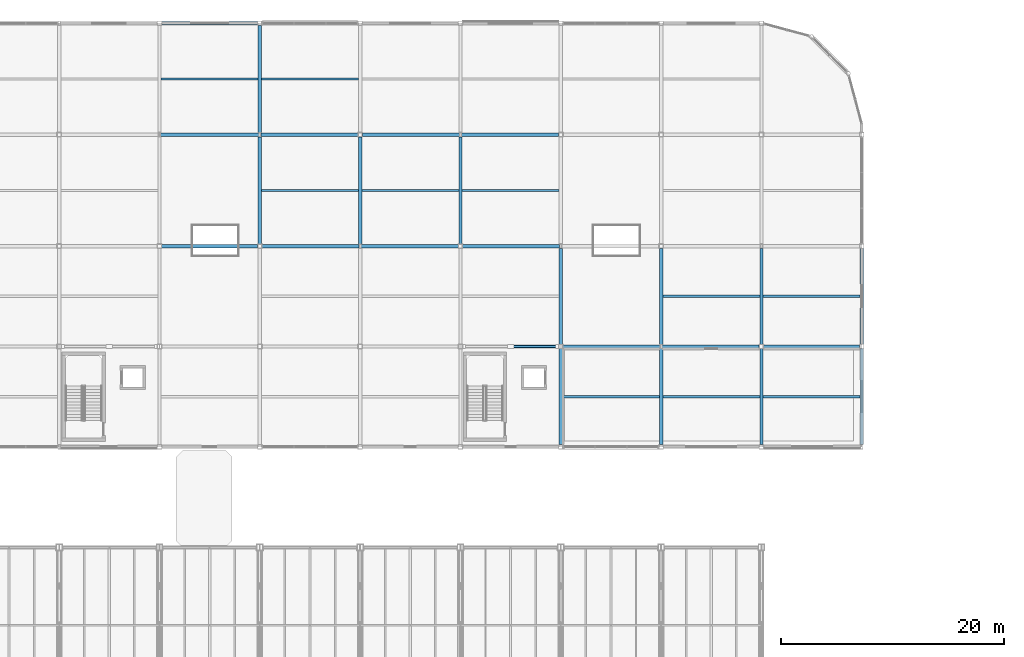
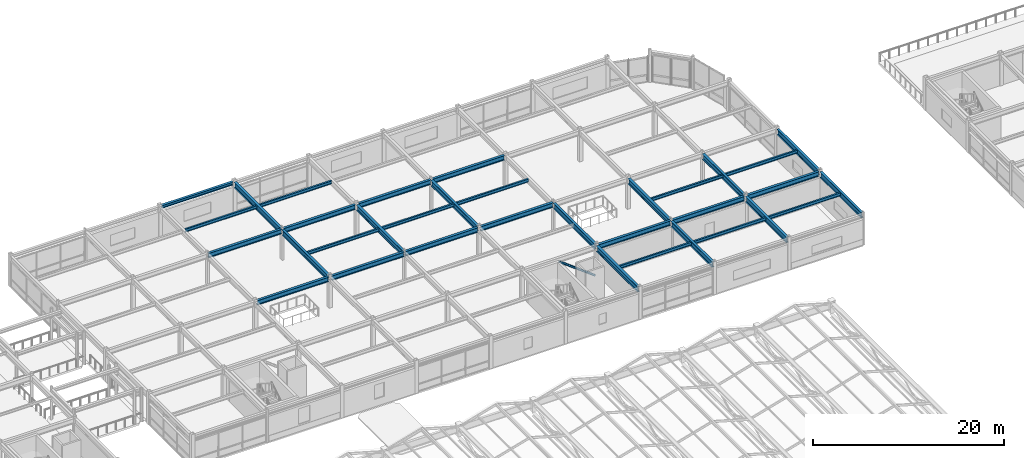
# One storey, part 48 of 108: 34 beams, 1 member.
"""IFC4 building model written with IfcOpenShell, lengths in metres."""

import ifcopenshell
import ifcopenshell.guid

model = None  # the IFC model being written
_history = None  # IfcOwnerHistory: only IFC2X3 demands one
_inside = {}  # id of a spatial element -> (the spatial element, [elements in it])
_under = {}  # id of a project, library or spatial element -> (it, [spatial elements below it])
_declared = {}  # id of a project -> (the project, [libraries it declares])
_typed = {}  # id of a type object -> (the type object, [elements of that type])
_made_of = {}  # id of a material, layer set ... -> (it, [elements and type objects made of it])


def new_model(schema):
    """Start an empty IFC model of exactly this schema.

    Asked for "IFC4X3", IfcOpenShell would pick the latest addendum, in which some entities
    have other attributes; the version numbers below select the first issue.
    IFC2X3 requires an IfcOwnerHistory on every rooted entity: one is made here for all.
    """
    global model, _history
    if schema == "IFC4X3":
        model = ifcopenshell.file(schema_version=(4, 3, 0, 0))
    else:
        model = ifcopenshell.file(schema=schema)
    _inside.clear()
    _under.clear()
    _declared.clear()
    _typed.clear()
    _made_of.clear()
    _history = None
    if model.schema == "IFC2X3":
        org = make("IfcOrganization", Name="unknown")
        user = make(
            "IfcPersonAndOrganization",
            ThePerson=make("IfcPerson", FamilyName="unknown"),
            TheOrganization=org,
        )
        app = make(
            "IfcApplication",
            ApplicationDeveloper=org,
            Version="unknown",
            ApplicationFullName="unknown",
            ApplicationIdentifier="unknown",
        )
        _history = make(
            "IfcOwnerHistory",
            OwningUser=user,
            OwningApplication=app,
            ChangeAction="ADDED",
            CreationDate=0,
        )
    return model


def make(cls, **values):
    """One entity of the class cls with the attributes given. An attribute that is None is left unset."""
    return model.create_entity(
        cls, **{name: value for name, value in values.items() if value is not None}
    )


def rooted(cls, **values):
    """An entity with a GlobalId (a new one), such as an element, a storey or a relation."""
    return make(cls, GlobalId=ifcopenshell.guid.new(), OwnerHistory=_history, **values)


def si_unit(unit_type, name, prefix=None):
    """IfcSIUnit, for example si_unit("LENGTHUNIT", "METRE", prefix="MILLI")."""
    return make("IfcSIUnit", UnitType=unit_type, Prefix=prefix, Name=name)


def assignment(units):
    """IfcUnitAssignment: the units of a project."""
    return None if units is None else make("IfcUnitAssignment", Units=units)


def point(xyz):
    """IfcCartesianPoint."""
    return None if xyz is None else make("IfcCartesianPoint", Coordinates=xyz)


def direction(xyz):
    """IfcDirection."""
    return None if xyz is None else make("IfcDirection", DirectionRatios=xyz)


def frame(location, z_axis=None, x_axis=None):
    """IfcAxis2Placement3D, a coordinate frame: its origin and axes. An axis left out is left unset."""
    return make(
        "IfcAxis2Placement3D",
        Location=point(location),
        Axis=direction(z_axis),
        RefDirection=direction(x_axis),
    )


def frame_2d(location, x_axis=None):
    """IfcAxis2Placement2D, a coordinate frame in the plane: its origin and x axis."""
    return make(
        "IfcAxis2Placement2D", Location=point(location), RefDirection=direction(x_axis)
    )


def origin():
    """The frame at (0, 0, 0) with its axes left unset."""
    return frame((0.0, 0.0, 0.0))


def origin_2d():
    """The frame at (0, 0) in the plane with its x axis left unset."""
    return frame_2d((0.0, 0.0))


def place(relative_to, where):
    """IfcLocalPlacement: puts the frame where relative to a parent placement (None: the world)."""
    return make(
        "IfcLocalPlacement", PlacementRelTo=relative_to, RelativePlacement=where
    )


def context(
    kind, dimensions, precision=None, world=None, true_north=None, identifier=None
):
    """IfcGeometricRepresentationContext, for example the 3D "Model" context."""
    return make(
        "IfcGeometricRepresentationContext",
        ContextIdentifier=identifier,
        ContextType=kind,
        CoordinateSpaceDimension=dimensions,
        Precision=precision,
        WorldCoordinateSystem=world,
        TrueNorth=true_north,
    )


def subcontext(parent, identifier, kind, view, scale=None):
    """IfcGeometricRepresentationSubContext, for example "Body" below "Model"."""
    return make(
        "IfcGeometricRepresentationSubContext",
        ContextIdentifier=identifier,
        ContextType=kind,
        ParentContext=parent,
        TargetScale=scale,
        TargetView=view,
    )


def project(units=None, contexts=None):
    """IfcProject with its units and contexts."""
    return rooted(
        "IfcProject",
        Name="project",
        RepresentationContexts=contexts,
        UnitsInContext=assignment(units),
    )


def spatial(cls, under=None, at=None, **own):
    """A site, building, storey or space (cls), placed at a placement, below another one or the project."""
    s = rooted(cls, ObjectPlacement=at, **own)
    if under is not None:
        _under.setdefault(under.id(), (under, []))[1].append(s)
    return s


def profile(cls, at=None, kind="AREA", **sizes):
    """A parametric profile (cls). Its sizes go by their IFC names, for example OverallWidth=200.0."""
    return make(cls, ProfileType=kind, Position=at, **sizes)


def hollow_circle(**sizes):
    """IfcCircleHollowProfileDef."""
    return profile("IfcCircleHollowProfileDef", **sizes)


def i_section(**sizes):
    """IfcIShapeProfileDef."""
    return profile("IfcIShapeProfileDef", **sizes)


def extrude(swept, where, along, depth):
    """IfcExtrudedAreaSolid: the profile swept, set in the frame where, extruded along a direction by depth."""
    return make(
        "IfcExtrudedAreaSolid",
        SweptArea=swept,
        Position=where,
        ExtrudedDirection=direction(along),
        Depth=depth,
    )


def shape(context_of_items, identifier, shape_type, items):
    """IfcShapeRepresentation: the items that make up one representation, for example the "Body"."""
    return make(
        "IfcShapeRepresentation",
        ContextOfItems=context_of_items,
        RepresentationIdentifier=identifier,
        RepresentationType=shape_type,
        Items=items,
    )


def material(Name=None, Category=None):
    """IfcMaterial."""
    return make("IfcMaterial", Name=Name, Category=Category)


def material_profile(
    of_material, cross_section, Name=None, Category=None, Priority=None
):
    """IfcMaterialProfile: a cross section and its material."""
    return make(
        "IfcMaterialProfile",
        Name=Name,
        Material=of_material,
        Profile=cross_section,
        Priority=Priority,
        Category=Category,
    )


def profile_set(profiles, Name=None, composite=None):
    """IfcMaterialProfileSet."""
    return make(
        "IfcMaterialProfileSet",
        Name=Name,
        MaterialProfiles=profiles,
        CompositeProfile=composite,
    )


def made_of(thing, what):
    """Note that an element or type object is made of a material, layer set ...; save() writes the relation."""
    if what is not None:
        _made_of.setdefault(what.id(), (what, []))[1].append(thing)
    return thing


def type_object(cls, material=None, **own):
    """A type object (cls), such as IfcWallType, which elements share."""
    return made_of(rooted(cls, **own), material)


def element(
    cls,
    number,
    at=None,
    inside=None,
    cuts=None,
    type_object=None,
    material=None,
    context=None,
    identifier="Body",
    shape_type=None,
    held_by="IfcProductDefinitionShape",
    body=None,
    shapes=None,
    **own,
):
    """One element of the class cls, such as IfcWall. Its Tag is "e" and its number.

    at: its placement. inside: the storey or other place that contains it. cuts: it is an
    opening in that element (IfcRelVoidsElement). A single representation is given by context,
    identifier, shape_type and body (its items); several are given by shapes. held_by: the class
    of the entity that holds the representations. save() writes the other relations.
    """
    e = rooted(cls, Tag="e%d" % number, ObjectPlacement=at, **own)
    if body is not None:
        shapes = [shape(context, identifier, shape_type, body)]
    if shapes is not None:
        e.Representation = make(held_by, Representations=shapes)
    if inside is not None:
        _inside.setdefault(inside.id(), (inside, []))[1].append(e)
    if cuts is not None:
        rooted(
            "IfcRelVoidsElement", RelatingBuildingElement=cuts, RelatedOpeningElement=e
        )
    if type_object is not None:
        _typed.setdefault(type_object.id(), (type_object, []))[1].append(e)
    return made_of(e, material)


def aggregate(whole, parts):
    """IfcRelAggregates: a whole, such as a stair, and the parts it consists of."""
    return rooted("IfcRelAggregates", RelatingObject=whole, RelatedObjects=parts)


def save(model, path):
    """Write the relations noted so far, then the file.

    IfcRelAggregates (storeys below a building ...), IfcRelContainedInSpatialStructure (elements
    in a storey), IfcRelDefinesByType, IfcRelAssociatesMaterial and IfcRelDeclares: one each for
    every whole, place, type object, material and project.
    """
    for whole, parts in _under.values():
        aggregate(whole, parts)
    for where, things in _inside.values():
        rooted(
            "IfcRelContainedInSpatialStructure",
            RelatedElements=things,
            RelatingStructure=where,
        )
    for kind, things in _typed.values():
        rooted("IfcRelDefinesByType", RelatedObjects=things, RelatingType=kind)
    for what, things in _made_of.values():
        rooted("IfcRelAssociatesMaterial", RelatedObjects=things, RelatingMaterial=what)
    for by, libraries in _declared.values():
        rooted("IfcRelDeclares", RelatingContext=by, RelatedDefinitions=libraries)
    model.write(path)


model = new_model("IFC4")

# Units and contexts
model_context = context("Model", 3, precision=1e-05, world=origin(), true_north=direction((0.0, 1.0)))
body_context = subcontext(model_context, "Body", "Model", "MODEL_VIEW")
ifc_project = project(units=[si_unit("LENGTHUNIT", "METRE"), si_unit("AREAUNIT", "SQUARE_METRE"), si_unit("VOLUMEUNIT", "CUBIC_METRE"), si_unit("PLANEANGLEUNIT", "RADIAN"), si_unit("MASSUNIT", "GRAM", prefix="KILO")], contexts=[model_context])

# Site, building, storey
site_placement = place(None, origin())
site = spatial("IfcSite", under=ifc_project, at=site_placement, CompositionType="ELEMENT")
building_placement = place(site_placement, origin())
building = spatial("IfcBuilding", under=site, at=building_placement, Name="Suzunagisa Mobility Hub", CompositionType="ELEMENT")
storey_placement = place(building_placement, frame((0.0, 0.0, 9.300048828125)))
storey = spatial("IfcBuildingStorey", under=building, at=storey_placement, Name="L02", CompositionType="ELEMENT", Elevation=9.300048828125)

# Member
ifc_material_1 = material(Name="Steel SN490B", Category="steel")
ifc_material_profile_1 = material_profile(ifc_material_1, hollow_circle(Radius=0.1337890625, WallThickness=0.00927734375, at=origin_2d()), Name="CHS-267.4x9.3")
ifc_profile_set_1 = profile_set([ifc_material_profile_1], Name="Steel SN490B")
member_type = type_object("IfcMemberType", Name="Roof Truss and Brace Member MB-06 CHS-267.4x9.3", PredefinedType="BRACE", material=ifc_profile_set_1)
member_placement = place(storey_placement, frame((98.780029296875, 89.0, 0.119873046875), z_axis=(-0.798384949274, 0.0, 0.602147384593), x_axis=(0.0, -1.0, 0.0)))
element("IfcMember", 1, at=member_placement, inside=storey, type_object=member_type, Name="L02 Concentric Lateral Brace BR-44", PredefinedType="BRACE", context=body_context, shape_type="SweptSolid", body=[
    extrude(hollow_circle(Radius=0.1337890625, WallThickness=0.00927734375, at=origin_2d()), origin(), (0.0, 0.0, 1.0), 5.36083984375),
])

# Beams
ifc_material_profile_2 = material_profile(ifc_material_1, i_section(OverallWidth=0.300048828125, OverallDepth=0.699951171875, WebThickness=0.012939453125, FlangeThickness=0.02392578125, FilletRadius=0.01806640625, at=origin_2d()), Name="H-700x300x13x24")
ifc_profile_set_2 = profile_set([ifc_material_profile_2], Name="Steel SN490B")
beam_type_1 = type_object("IfcBeamType", Name="Steel Beam BM-11 H-700x300x13x24", PredefinedType="BEAM", material=ifc_profile_set_2)
for number, where, z_axis, x_axis, name in (
    (2, (72.0, 98.196044921875, 3.599853515625), (0.0, 1.0, 0.0), (-1.0, 0.0, 0.0), "L02 Primary Girder GY-973"),
    (3, (72.0, 108.196044921875, 3.599853515625), (0.0, 1.0, 0.0), (-1.0, 0.0, 0.0), "L02 Primary Girder GY-974"),
    (4, (81.0, 98.196044921875, 3.599853515625), (0.0, 1.0, 0.0), (-1.0, 0.0, 0.0), "L02 Primary Girder GY-977"),
    (5, (90.0, 98.196044921875, 3.599853515625), (0.0, 1.0, 0.0), (-1.0, 0.0, 0.0), "L02 Primary Girder GY-981"),
):
    element("IfcBeam", number, at=place(storey_placement, frame(where, z_axis=z_axis, x_axis=x_axis)), inside=storey, type_object=beam_type_1, Name=name, PredefinedType="BEAM", context=body_context, shape_type="SweptSolid", body=[
        extrude(i_section(OverallWidth=0.300048828125, OverallDepth=0.699951171875, WebThickness=0.012939453125, FlangeThickness=0.02392578125, FilletRadius=0.01806640625, at=origin_2d()), origin(), (0.0, 0.0, 1.0), 9.60791015625),
    ])
for number, where, z_axis, x_axis, name in (
    (6, (99.0, 80.196044921875, 3.599853515625), (0.0, 1.0, 0.0), (-1.0, 0.0, 0.0), "L02 Primary Girder GY-983"),
    (7, (99.0, 89.196044921875, 3.599853515625), (0.0, 1.0, 0.0), (-1.0, 0.0, 0.0), "L02 Primary Girder GY-984"),
    (8, (108.0, 80.196044921875, 3.599853515625), (0.0, 1.0, 0.0), (-1.0, 0.0, 0.0), "L02 Primary Girder GY-987"),
    (9, (108.0, 89.196044921875, 3.599853515625), (0.0, 1.0, 0.0), (-1.0, 0.0, 0.0), "L02 Primary Girder GY-988"),
    (10, (117.0, 80.196044921875, 3.599853515625), (0.0, 1.0, 0.0), (-1.0, 0.0, 0.0), "L02 Primary Girder GY-991"),
    (11, (117.0, 89.196044921875, 3.599853515625), (0.0, 1.0, 0.0), (-1.0, 0.0, 0.0), "L02 Primary Girder GY-992"),
    (12, (126.0, 80.196044921875, 3.599853515625), (0.0, 1.0, 0.0), (-1.0, 0.0, 0.0), "L02 Primary Girder GY-995"),
    (13, (126.0, 89.196044921875, 3.599853515625), (0.0, 1.0, 0.0), (-1.0, 0.0, 0.0), "L02 Primary Girder GY-996"),
):
    element("IfcBeam", number, at=place(storey_placement, frame(where, z_axis=z_axis, x_axis=x_axis)), inside=storey, type_object=beam_type_1, Name=name, PredefinedType="BEAM", context=body_context, shape_type="SweptSolid", body=[
        extrude(i_section(OverallWidth=0.300048828125, OverallDepth=0.699951171875, WebThickness=0.012939453125, FlangeThickness=0.02392578125, FilletRadius=0.01806640625, at=origin_2d()), origin(), (0.0, 0.0, 1.0), 8.60791015625),
    ])
ifc_material_profile_3 = material_profile(ifc_material_1, i_section(OverallWidth=0.300048828125, OverallDepth=0.389892578125, WebThickness=0.010009765625, FlangeThickness=0.01611328125, FilletRadius=0.012939453125, at=origin_2d()), Name="H-390x300x10x16")
ifc_profile_set_3 = profile_set([ifc_material_profile_3], Name="Steel SN490B")
beam_type_2 = type_object("IfcBeamType", Name="Steel Beam BM-13 H-390x300x10x16", PredefinedType="SPANDREL", material=ifc_profile_set_3)
beam_1_placement = place(storey_placement, frame((63.196044921875, 118.0, 3.7548828125), z_axis=(1.0, 0.0, 0.0), x_axis=(0.0, 1.0, 0.0)))
element("IfcBeam", 14, at=beam_1_placement, inside=storey, type_object=beam_type_2, Name="L02 Primary Girder GX-953", PredefinedType="SPANDREL", context=body_context, shape_type="SweptSolid", body=[
    extrude(i_section(OverallWidth=0.300048828125, OverallDepth=0.389892578125, WebThickness=0.010009765625, FlangeThickness=0.01611328125, FilletRadius=0.012939453125, at=origin_2d()), origin(), (0.0, 0.0, 1.0), 8.60791015625),
])
ifc_material_2 = material(Name="Steel SN400B", Category="steel")
ifc_material_profile_4 = material_profile(ifc_material_2, i_section(OverallWidth=0.199951171875, OverallDepth=0.39990234375, WebThickness=0.008056640625, FlangeThickness=0.012939453125, FilletRadius=0.012939453125, at=origin_2d()), Name="H-400x200x8x13")
ifc_profile_set_4 = profile_set([ifc_material_profile_4], Name="Steel SN400B")
beam_type_3 = type_object("IfcBeamType", Name="Steel Beam BM-14 H-400x200x8x13", PredefinedType="JOIST", material=ifc_profile_set_4)
for number, where, z_axis, x_axis, name in (
    (15, (63.14990234375, 113.0, 3.75), (1.0, 0.0, 0.0), (0.0, 1.0, 0.0), "L02 Composite Floor Joist J-1007"),
    (16, (72.14990234375, 103.0, 3.75), (1.0, 0.0, 0.0), (0.0, 1.0, 0.0), "L02 Composite Floor Joist J-1010"),
    (17, (72.14990234375, 113.0, 3.75), (1.0, 0.0, 0.0), (0.0, 1.0, 0.0), "L02 Composite Floor Joist J-1011"),
    (18, (81.14990234375, 103.0, 3.75), (1.0, 0.0, 0.0), (0.0, 1.0, 0.0), "L02 Composite Floor Joist J-1014"),
    (19, (90.14990234375, 103.0, 3.75), (1.0, 0.0, 0.0), (0.0, 1.0, 0.0), "L02 Composite Floor Joist J-1017"),
    (20, (99.14990234375, 84.5, 3.75), (1.0, 0.0, 0.0), (0.0, 1.0, 0.0), "L02 Composite Floor Joist J-1019"),
    (21, (108.14990234375, 84.5, 3.75), (1.0, 0.0, 0.0), (0.0, 1.0, 0.0), "L02 Composite Floor Joist J-1021"),
    (22, (108.14990234375, 93.5, 3.75), (1.0, 0.0, 0.0), (0.0, 1.0, 0.0), "L02 Composite Floor Joist J-1022"),
    (23, (117.14990234375, 84.5, 3.75), (1.0, 0.0, 0.0), (0.0, 1.0, 0.0), "L02 Composite Floor Joist J-1025"),
    (24, (117.14990234375, 93.5, 3.75), (1.0, 0.0, 0.0), (0.0, 1.0, 0.0), "L02 Composite Floor Joist J-1026"),
):
    element("IfcBeam", number, at=place(storey_placement, frame(where, z_axis=z_axis, x_axis=x_axis)), inside=storey, type_object=beam_type_3, Name=name, PredefinedType="JOIST", context=body_context, shape_type="SweptSolid", body=[
        extrude(i_section(OverallWidth=0.199951171875, OverallDepth=0.39990234375, WebThickness=0.008056640625, FlangeThickness=0.012939453125, FilletRadius=0.012939453125, at=origin_2d()), origin(), (0.0, 0.0, 1.0), 8.7001953125),
    ])
ifc_material_profile_5 = material_profile(ifc_material_1, i_section(OverallWidth=0.300048828125, OverallDepth=0.587890625, WebThickness=0.011962890625, FlangeThickness=0.02001953125, FilletRadius=0.012939453125, at=origin_2d()), Name="H-588x300x12x20")
ifc_profile_set_5 = profile_set([ifc_material_profile_5], Name="Steel SN490B")
beam_type_4 = type_object("IfcBeamType", Name="Steel Beam BM-16 H-588x300x12x20", PredefinedType="BEAM", material=ifc_profile_set_5)
for number, where, z_axis, x_axis, name in (
    (25, (99.196044921875, 89.0, 3.656005859375), (1.0, 0.0, 0.0), (0.0, 1.0, 0.0), "L02 Primary Girder GX-930"),
    (26, (108.095947265625, 89.0, 3.656005859375), (1.0, 0.0, 0.0), (0.0, 1.0, 0.0), "L02 Primary Girder GX-931"),
):
    element("IfcBeam", number, at=place(storey_placement, frame(where, z_axis=z_axis, x_axis=x_axis)), inside=storey, type_object=beam_type_4, Name=name, PredefinedType="BEAM", context=body_context, shape_type="SweptSolid", body=[
        extrude(i_section(OverallWidth=0.300048828125, OverallDepth=0.587890625, WebThickness=0.011962890625, FlangeThickness=0.02001953125, FilletRadius=0.012939453125, at=origin_2d()), origin(), (0.0, 0.0, 1.0), 8.7080078125),
    ])
for number, where, z_axis, x_axis, name in (
    (27, (117.196044921875, 89.0, 3.656005859375), (1.0, 0.0, 0.0), (0.0, 1.0, 0.0), "L02 Primary Girder GX-932"),
    (28, (63.196044921875, 98.0, 3.656005859375), (1.0, 0.0, 0.0), (0.0, 1.0, 0.0), "L02 Primary Girder GX-935"),
):
    element("IfcBeam", number, at=place(storey_placement, frame(where, z_axis=z_axis, x_axis=x_axis)), inside=storey, type_object=beam_type_4, Name=name, PredefinedType="BEAM", context=body_context, shape_type="SweptSolid", body=[
        extrude(i_section(OverallWidth=0.300048828125, OverallDepth=0.587890625, WebThickness=0.011962890625, FlangeThickness=0.02001953125, FilletRadius=0.012939453125, at=origin_2d()), origin(), (0.0, 0.0, 1.0), 8.60791015625),
    ])
for number, where, z_axis, x_axis, name in (
    (29, (72.196044921875, 98.0, 3.656005859375), (1.0, 0.0, 0.0), (0.0, 1.0, 0.0), "L02 Primary Girder GX-936"),
    (30, (81.095947265625, 98.0, 3.656005859375), (1.0, 0.0, 0.0), (0.0, 1.0, 0.0), "L02 Primary Girder GX-937"),
    (31, (90.196044921875, 98.0, 3.656005859375), (1.0, 0.0, 0.0), (0.0, 1.0, 0.0), "L02 Primary Girder GX-938"),
):
    element("IfcBeam", number, at=place(storey_placement, frame(where, z_axis=z_axis, x_axis=x_axis)), inside=storey, type_object=beam_type_4, Name=name, PredefinedType="BEAM", context=body_context, shape_type="SweptSolid", body=[
        extrude(i_section(OverallWidth=0.300048828125, OverallDepth=0.587890625, WebThickness=0.011962890625, FlangeThickness=0.02001953125, FilletRadius=0.012939453125, at=origin_2d()), origin(), (0.0, 0.0, 1.0), 8.7080078125),
    ])
beam_2_placement = place(storey_placement, frame((63.095947265625, 108.0, 3.656005859375), z_axis=(1.0, 0.0, 0.0), x_axis=(0.0, 1.0, 0.0)))
element("IfcBeam", 32, at=beam_2_placement, inside=storey, type_object=beam_type_4, Name="L02 Primary Girder GX-944", PredefinedType="BEAM", context=body_context, shape_type="SweptSolid", body=[
    extrude(i_section(OverallWidth=0.300048828125, OverallDepth=0.587890625, WebThickness=0.011962890625, FlangeThickness=0.02001953125, FilletRadius=0.012939453125, at=origin_2d()), origin(), (0.0, 0.0, 1.0), 8.80810546875),
])
for number, where, z_axis, x_axis, name in (
    (33, (72.095947265625, 108.0, 3.656005859375), (1.0, 0.0, 0.0), (0.0, 1.0, 0.0), "L02 Primary Girder GX-945"),
    (34, (81.196044921875, 108.0, 3.656005859375), (1.0, 0.0, 0.0), (0.0, 1.0, 0.0), "L02 Primary Girder GX-946"),
    (35, (90.095947265625, 108.0, 3.656005859375), (1.0, 0.0, 0.0), (0.0, 1.0, 0.0), "L02 Primary Girder GX-947"),
):
    element("IfcBeam", number, at=place(storey_placement, frame(where, z_axis=z_axis, x_axis=x_axis)), inside=storey, type_object=beam_type_4, Name=name, PredefinedType="BEAM", context=body_context, shape_type="SweptSolid", body=[
        extrude(i_section(OverallWidth=0.300048828125, OverallDepth=0.587890625, WebThickness=0.011962890625, FlangeThickness=0.02001953125, FilletRadius=0.012939453125, at=origin_2d()), origin(), (0.0, 0.0, 1.0), 8.7080078125),
    ])

save(model, "model.ifc")
